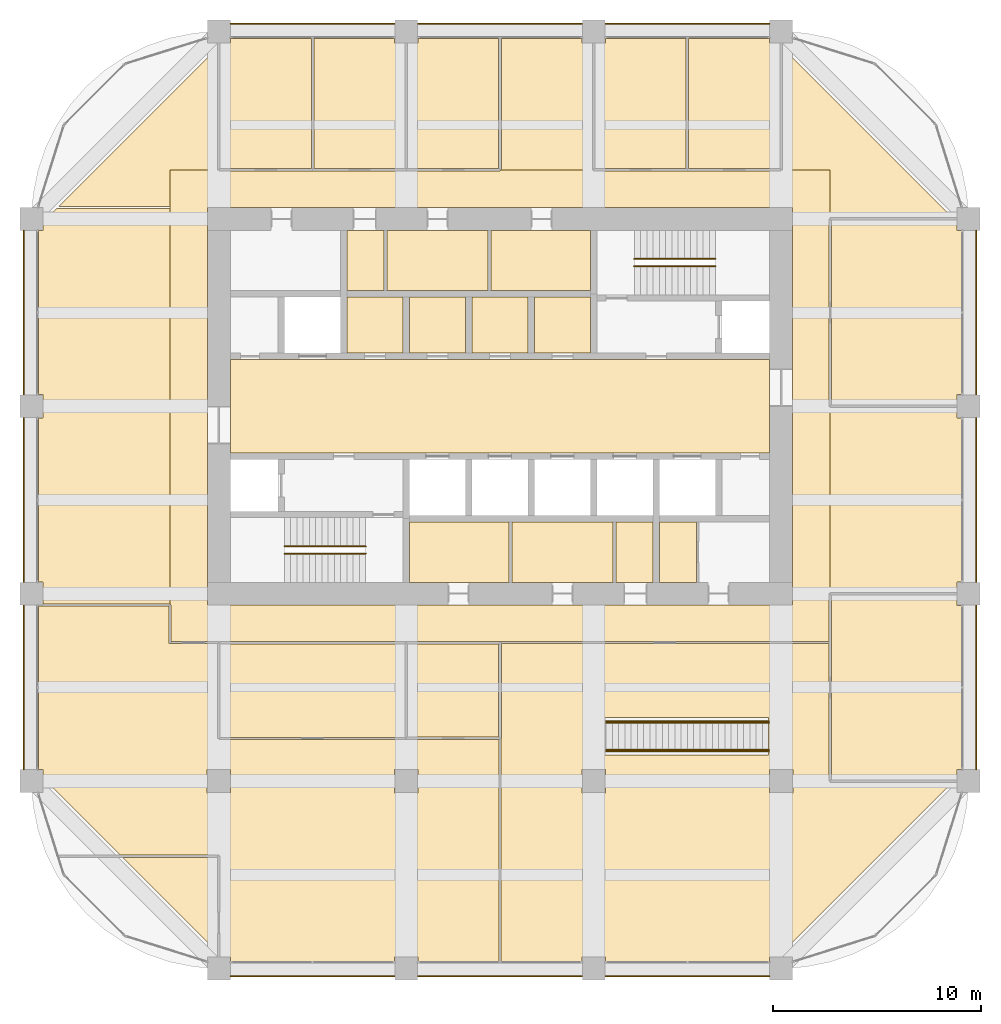
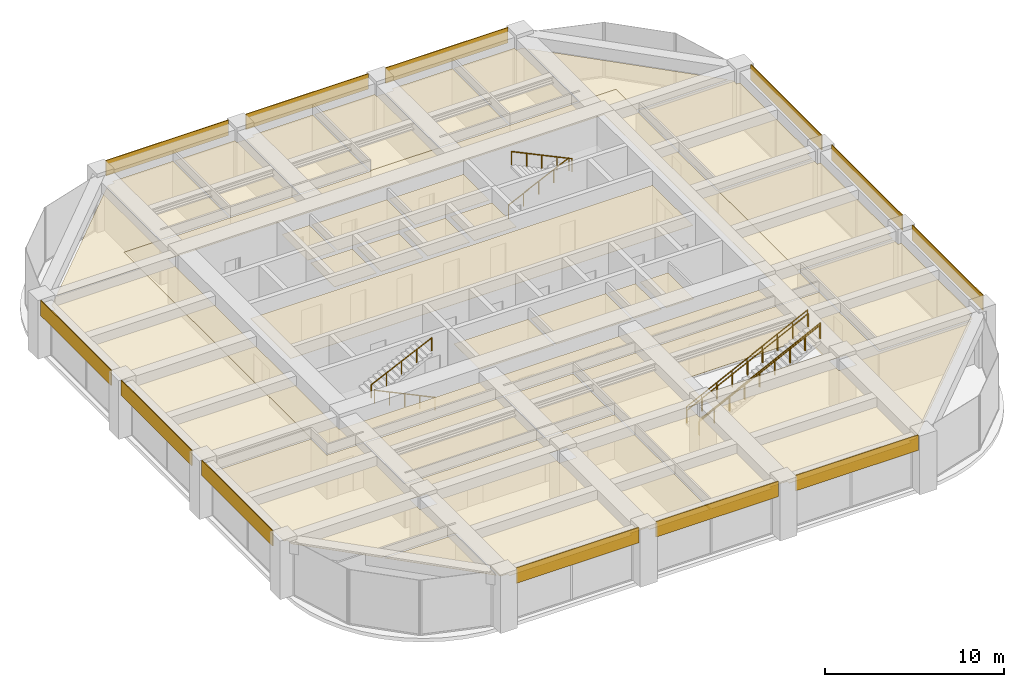
# One storey, part 44 of 44: 42 coverings, 8 railings.
"""IFC4 building model written with IfcOpenShell, lengths in metres."""

from ifc_helpers import new_model, si_unit, direction, frame, frame_2d, origin, origin_2d, place, context, subcontext, project, spatial, polyline, rectangle, circle, outline, extrude, material, layer, layer_set, type_object, element, save


model = new_model("IFC4")

# Units and contexts
model_context = context("Model", 3, precision=1e-05, world=origin(), true_north=direction((0.0, 1.0)))
body_context = subcontext(model_context, "Body", "Model", "MODEL_VIEW")
ifc_project = project(units=[si_unit("LENGTHUNIT", "METRE"), si_unit("AREAUNIT", "SQUARE_METRE"), si_unit("VOLUMEUNIT", "CUBIC_METRE"), si_unit("PLANEANGLEUNIT", "RADIAN"), si_unit("MASSUNIT", "GRAM", prefix="KILO")], contexts=[model_context])

# Site, building, storey
site_placement = place(None, origin())
site = spatial("IfcSite", under=ifc_project, at=site_placement, CompositionType="ELEMENT")
building_placement = place(site_placement, origin())
building = spatial("IfcBuilding", under=site, at=building_placement, Name="Zorevar Civic Tower", CompositionType="ELEMENT")
storey_placement = place(building_placement, frame((0.0, 0.0, 251.39990234375)))
storey = spatial("IfcBuildingStorey", under=building, at=storey_placement, Name="L61", CompositionType="ELEMENT", Elevation=251.39990234375)

# Railings
ifc_material_1 = material(Name="Laminated glass balustrade with black steel handrail", Category="steel")
railing_type_1 = type_object("IfcRailingType", Name="Balustrade BL1 1100", PredefinedType="BALUSTRADE", material=ifc_material_1)
for number, where, name in (
    (1, (36.60009765625, 10.429931640625, 0.148193359375), "Balustrade BL1 interconnecting stair L61"),
    (2, (36.60009765625, 11.8701171875, 0.148193359375), "Balustrade BL1 interconnecting stair L61"),
):
    element("IfcRailing", number, at=place(storey_placement, frame(where)), inside=storey, type_object=railing_type_1, Name=name, PredefinedType="BALUSTRADE", context=body_context, shape_type="SweptSolid", body=[
        extrude(circle(Radius=0.02392578125, at=origin_2d()), frame((0.0, 0.0, 1.076171875), z_axis=(0.896627794226, 0.0, 0.442785047875), x_axis=(0.0, 1.0, 0.0)), (0.0, 0.0, 1.0), 8.698974609375),
        extrude(circle(Radius=0.02099609375, at=origin_2d()), origin(), (0.0, 0.0, 1.0), 1.052001953125),
        extrude(circle(Radius=0.02099609375, at=origin_2d()), frame((0.97509765625, 0.0, 0.4814453125)), (0.0, 0.0, 1.0), 1.052001953125),
        extrude(circle(Radius=0.02099609375, at=origin_2d()), frame((1.949951171875, 0.0, 0.962890625)), (0.0, 0.0, 1.0), 1.052001953125),
        extrude(circle(Radius=0.02099609375, at=origin_2d()), frame((2.9248046875, 0.0, 1.4443359375)), (0.0, 0.0, 1.0), 1.052001953125),
        extrude(circle(Radius=0.02099609375, at=origin_2d()), frame((3.89990234375, 0.0, 1.92578125)), (0.0, 0.0, 1.0), 1.052001953125),
        extrude(circle(Radius=0.02099609375, at=origin_2d()), frame((4.875, 0.0, 2.407470703125)), (0.0, 0.0, 1.0), 1.052001953125),
        extrude(circle(Radius=0.02099609375, at=origin_2d()), frame((5.849853515625, 0.0, 2.888916015625)), (0.0, 0.0, 1.0), 1.052001953125),
        extrude(circle(Radius=0.02099609375, at=origin_2d()), frame((6.82470703125, 0.0, 3.370361328125)), (0.0, 0.0, 1.0), 1.052001953125),
        extrude(circle(Radius=0.02099609375, at=origin_2d()), frame((7.7998046875, 0.0, 3.851806640625)), (0.0, 0.0, 1.0), 1.052001953125),
    ])
ifc_material_2 = material(Name="Black steel handrail", Category="steel")
railing_type_2 = type_object("IfcRailingType", Name="Handrail HR1 900", PredefinedType="HANDRAIL", material=ifc_material_2)
railing_1_placement = place(storey_placement, frame((25.050048828125, 19.925048828125, 0.14306640625)))
element("IfcRailing", 3, at=railing_1_placement, inside=storey, type_object=railing_type_2, Name="Handrail HR1 ST1 L61", PredefinedType="HANDRAIL", context=body_context, shape_type="SweptSolid", body=[
    extrude(circle(Radius=0.02392578125, at=origin_2d()), frame((0.0, 0.0, 0.8759765625), z_axis=(-0.902885590262, 0.0, 0.429880926418), x_axis=(0.0, -1.0, 0.0)), (0.0, 0.0, 1.0), 4.319580078125),
    extrude(circle(Radius=0.02099609375, at=origin_2d()), origin(), (0.0, 0.0, 1.0), 0.851806640625),
    extrude(circle(Radius=0.02099609375, at=origin_2d()), frame((-0.97509765625, 0.0, 0.46435546875)), (0.0, 0.0, 1.0), 0.851806640625),
    extrude(circle(Radius=0.02099609375, at=origin_2d()), frame((-1.9501953125, 0.0, 0.928466796875)), (0.0, 0.0, 1.0), 0.851806640625),
    extrude(circle(Radius=0.02099609375, at=origin_2d()), frame((-2.925048828125, 0.0, 1.392578125)), (0.0, 0.0, 1.0), 0.851806640625),
    extrude(circle(Radius=0.02099609375, at=origin_2d()), frame((-3.900146484375, 0.0, 1.85693359375)), (0.0, 0.0, 1.0), 0.851806640625),
])
for number, where, name in (
    (4, (21.14990234375, 20.27490234375, 2.14306640625), "Handrail HR1 ST1 L61"),
    (5, (37.949951171875, 34.074951171875, 0.14306640625), "Handrail HR1 ST2 L61"),
):
    element("IfcRailing", number, at=place(storey_placement, frame(where)), inside=storey, type_object=railing_type_2, Name=name, PredefinedType="HANDRAIL", context=body_context, shape_type="SweptSolid", body=[
        extrude(circle(Radius=0.02392578125, at=origin_2d()), frame((0.0, 0.0, 0.8759765625), z_axis=(0.902885590262, 0.0, 0.429880926418), x_axis=(0.0, 1.0, 0.0)), (0.0, 0.0, 1.0), 4.319580078125),
        extrude(circle(Radius=0.02099609375, at=origin_2d()), origin(), (0.0, 0.0, 1.0), 0.851806640625),
        extrude(circle(Radius=0.02099609375, at=origin_2d()), frame((0.97509765625, 0.0, 0.46435546875)), (0.0, 0.0, 1.0), 0.851806640625),
        extrude(circle(Radius=0.02099609375, at=origin_2d()), frame((1.9501953125, 0.0, 0.928466796875)), (0.0, 0.0, 1.0), 0.851806640625),
        extrude(circle(Radius=0.02099609375, at=origin_2d()), frame((2.925048828125, 0.0, 1.392578125)), (0.0, 0.0, 1.0), 0.851806640625),
        extrude(circle(Radius=0.02099609375, at=origin_2d()), frame((3.900146484375, 0.0, 1.85693359375)), (0.0, 0.0, 1.0), 0.851806640625),
    ])
railing_2_placement = place(storey_placement, frame((41.85009765625, 33.72509765625, 2.14306640625)))
element("IfcRailing", 6, at=railing_2_placement, inside=storey, type_object=railing_type_2, Name="Handrail HR1 ST2 L61", PredefinedType="HANDRAIL", context=body_context, shape_type="SweptSolid", body=[
    extrude(circle(Radius=0.02392578125, at=origin_2d()), frame((0.0, 0.0, 0.8759765625), z_axis=(-0.902885590262, 0.0, 0.429880926418), x_axis=(0.0, -1.0, 0.0)), (0.0, 0.0, 1.0), 4.319580078125),
    extrude(circle(Radius=0.02099609375, at=origin_2d()), origin(), (0.0, 0.0, 1.0), 0.851806640625),
    extrude(circle(Radius=0.02099609375, at=origin_2d()), frame((-0.97509765625, 0.0, 0.46435546875)), (0.0, 0.0, 1.0), 0.851806640625),
    extrude(circle(Radius=0.02099609375, at=origin_2d()), frame((-1.9501953125, 0.0, 0.928466796875)), (0.0, 0.0, 1.0), 0.851806640625),
    extrude(circle(Radius=0.02099609375, at=origin_2d()), frame((-2.925048828125, 0.0, 1.392578125)), (0.0, 0.0, 1.0), 0.851806640625),
    extrude(circle(Radius=0.02099609375, at=origin_2d()), frame((-3.900146484375, 0.0, 1.85693359375)), (0.0, 0.0, 1.0), 0.851806640625),
])
for number, where, name in (
    (7, (36.60009765625, 10.5, 0.148193359375), "Handrail HR1 interconnecting stair L61"),
    (8, (36.60009765625, 11.800048828125, 0.148193359375), "Handrail HR1 interconnecting stair L61"),
):
    element("IfcRailing", number, at=place(storey_placement, frame(where)), inside=storey, type_object=railing_type_2, Name=name, PredefinedType="HANDRAIL", context=body_context, shape_type="SweptSolid", body=[
        extrude(circle(Radius=0.02392578125, at=origin_2d()), frame((0.0, 0.0, 0.8759765625), z_axis=(0.896627794226, 0.0, 0.442785047875), x_axis=(0.0, 1.0, 0.0)), (0.0, 0.0, 1.0), 8.698974609375),
        extrude(circle(Radius=0.02099609375, at=origin_2d()), origin(), (0.0, 0.0, 1.0), 0.851806640625),
        extrude(circle(Radius=0.02099609375, at=origin_2d()), frame((0.97509765625, 0.0, 0.4814453125)), (0.0, 0.0, 1.0), 0.851806640625),
        extrude(circle(Radius=0.02099609375, at=origin_2d()), frame((1.949951171875, 0.0, 0.962890625)), (0.0, 0.0, 1.0), 0.851806640625),
        extrude(circle(Radius=0.02099609375, at=origin_2d()), frame((2.9248046875, 0.0, 1.4443359375)), (0.0, 0.0, 1.0), 0.851806640625),
        extrude(circle(Radius=0.02099609375, at=origin_2d()), frame((3.89990234375, 0.0, 1.92578125)), (0.0, 0.0, 1.0), 0.851806640625),
        extrude(circle(Radius=0.02099609375, at=origin_2d()), frame((4.875, 0.0, 2.407470703125)), (0.0, 0.0, 1.0), 0.851806640625),
        extrude(circle(Radius=0.02099609375, at=origin_2d()), frame((5.849853515625, 0.0, 2.888916015625)), (0.0, 0.0, 1.0), 0.851806640625),
        extrude(circle(Radius=0.02099609375, at=origin_2d()), frame((6.82470703125, 0.0, 3.370361328125)), (0.0, 0.0, 1.0), 0.851806640625),
        extrude(circle(Radius=0.02099609375, at=origin_2d()), frame((7.7998046875, 0.0, 3.851806640625)), (0.0, 0.0, 1.0), 0.851806640625),
    ])

# Coverings
ifc_material_3 = material(Name="Moisture-resistant gypsum board")
ifc_layer_1 = layer(ifc_material_3, 0.012451171875)
ifc_layer_set_1 = layer_set([ifc_layer_1], Name="Moisture-resistant ceiling SC3")
covering_type_1 = type_object("IfcCoveringType", Name="Moisture-resistant ceiling SC3", PredefinedType="CEILING", material=ifc_layer_set_1)
covering_1_placement = place(storey_placement, frame((0.0, 0.0, 3.0)))
element("IfcCovering", 9, at=covering_1_placement, inside=storey, type_object=covering_type_1, Name="Ceiling L61-05", PredefinedType="CEILING", context=body_context, shape_type="SweptSolid", body=[
    extrude(outline(polyline([(31.925048828125, 18.550048828125), (31.925048828125, 21.449951171875), (27.14990234375, 21.449951171875), (27.14990234375, 18.550048828125), (31.925048828125, 18.550048828125)])), origin(), (0.0, 0.0, 1.0), 0.0126953125),
])
covering_2_placement = place(storey_placement, frame((0.0, 0.0, 3.0)))
element("IfcCovering", 10, at=covering_2_placement, inside=storey, type_object=covering_type_1, Name="Ceiling L61-06", PredefinedType="CEILING", context=body_context, shape_type="SweptSolid", body=[
    extrude(outline(polyline([(36.925048828125, 18.550048828125), (36.925048828125, 21.449951171875), (32.074951171875, 21.449951171875), (32.074951171875, 18.550048828125), (36.925048828125, 18.550048828125)])), origin(), (0.0, 0.0, 1.0), 0.0126953125),
])
covering_3_placement = place(storey_placement, frame((0.0, 0.0, 3.0)))
element("IfcCovering", 11, at=covering_3_placement, inside=storey, type_object=covering_type_1, Name="Ceiling L61-07", PredefinedType="CEILING", context=body_context, shape_type="SweptSolid", body=[
    extrude(outline(polyline([(38.85009765625, 18.550048828125), (38.85009765625, 21.449951171875), (37.074951171875, 21.449951171875), (37.074951171875, 18.550048828125), (38.85009765625, 18.550048828125)])), origin(), (0.0, 0.0, 1.0), 0.0126953125),
])
covering_4_placement = place(storey_placement, frame((0.0, 0.0, 3.0)))
element("IfcCovering", 12, at=covering_4_placement, inside=storey, type_object=covering_type_1, Name="Ceiling L61-08", PredefinedType="CEILING", context=body_context, shape_type="SweptSolid", body=[
    extrude(outline(polyline([(35.85009765625, 32.550048828125), (35.85009765625, 35.449951171875), (31.074951171875, 35.449951171875), (31.074951171875, 32.550048828125), (35.85009765625, 32.550048828125)])), origin(), (0.0, 0.0, 1.0), 0.0126953125),
])
covering_5_placement = place(storey_placement, frame((0.0, 0.0, 3.0)))
element("IfcCovering", 13, at=covering_5_placement, inside=storey, type_object=covering_type_1, Name="Ceiling L61-09", PredefinedType="CEILING", context=body_context, shape_type="SweptSolid", body=[
    extrude(outline(polyline([(30.925048828125, 32.550048828125), (30.925048828125, 35.449951171875), (26.074951171875, 35.449951171875), (26.074951171875, 32.550048828125), (30.925048828125, 32.550048828125)])), origin(), (0.0, 0.0, 1.0), 0.0126953125),
])
covering_6_placement = place(storey_placement, frame((0.0, 0.0, 3.0)))
element("IfcCovering", 14, at=covering_6_placement, inside=storey, type_object=covering_type_1, Name="Ceiling L61-10", PredefinedType="CEILING", context=body_context, shape_type="SweptSolid", body=[
    extrude(outline(polyline([(25.925048828125, 32.550048828125), (25.925048828125, 35.449951171875), (24.14990234375, 35.449951171875), (24.14990234375, 32.550048828125), (25.925048828125, 32.550048828125)])), origin(), (0.0, 0.0, 1.0), 0.0126953125),
])
ifc_material_4 = material(Name="Black anodised aluminium spandrel panel", Category="aluminium")
ifc_layer_2 = layer(ifc_material_4, 0.050048828125)
ifc_layer_set_2 = layer_set([ifc_layer_2], Name="Spandrel cladding SP1")
covering_type_2 = type_object("IfcCoveringType", Name="Spandrel cladding SP1", PredefinedType="CLADDING", material=ifc_layer_set_2)
for number, where, z_axis, x_axis, name in (
    (15, (18.550048828125, -0.375, 2.9501953125), (0.0, 0.0, 1.0), (1.0, 0.0, 0.0), "Spandrel cladding L62"),
    (16, (27.550048828125, -0.375, 2.9501953125), (0.0, 0.0, 1.0), (1.0, 0.0, 0.0), "Spandrel cladding L62"),
    (17, (36.550048828125, -0.375, 2.9501953125), (0.0, 0.0, 1.0), (1.0, 0.0, 0.0), "Spandrel cladding L62"),
    (18, (18.550048828125, 45.375, 2.9501953125), (0.0, 0.0, 1.0), (1.0, 0.0, 0.0), "Spandrel cladding L62"),
    (19, (27.550048828125, 45.375, 2.9501953125), (0.0, 0.0, 1.0), (1.0, 0.0, 0.0), "Spandrel cladding L62"),
    (20, (36.550048828125, 45.375, 2.9501953125), (0.0, 0.0, 1.0), (1.0, 0.0, 0.0), "Spandrel cladding L62"),
    (21, (8.625, 9.550048828125, 2.9501953125), (0.0, 0.0, 1.0), (0.0, 1.0, 0.0), "Spandrel cladding L62"),
    (22, (8.625, 18.550048828125, 2.9501953125), (0.0, 0.0, 1.0), (0.0, 1.0, 0.0), "Spandrel cladding L62"),
    (23, (8.625, 27.550048828125, 2.9501953125), (0.0, 0.0, 1.0), (0.0, 1.0, 0.0), "Spandrel cladding L62"),
    (24, (54.375, 9.550048828125, 2.9501953125), (0.0, 0.0, 1.0), (0.0, 1.0, 0.0), "Spandrel cladding L62"),
    (25, (54.375, 18.550048828125, 2.9501953125), (0.0, 0.0, 1.0), (0.0, 1.0, 0.0), "Spandrel cladding L62"),
    (26, (54.375, 27.550048828125, 2.9501953125), (0.0, 0.0, 1.0), (0.0, 1.0, 0.0), "Spandrel cladding L62"),
):
    element("IfcCovering", number, at=place(storey_placement, frame(where, z_axis=z_axis, x_axis=x_axis)), inside=storey, type_object=covering_type_2, Name=name, PredefinedType="CLADDING", context=body_context, shape_type="SweptSolid", body=[
        extrude(rectangle(XDim=7.89990234375, YDim=0.050048828125, at=frame_2d((3.949951171875, 0.0))), origin(), (0.0, 0.0, 1.0), 1.0498046875),
    ])
ifc_material_5 = material(Name="Mineral fibre tiles on a concealed grid")
ifc_layer_3 = layer(ifc_material_5, 0.02001953125)
ifc_layer_set_3 = layer_set([ifc_layer_3], Name="Suspended ceiling SC1")
covering_type_3 = type_object("IfcCoveringType", Name="Suspended ceiling SC1", PredefinedType="CEILING", material=ifc_layer_set_3)
covering_7_placement = place(storey_placement, frame((0.0, 0.0, 3.0)))
element("IfcCovering", 27, at=covering_7_placement, inside=storey, type_object=covering_type_3, Name="Ceiling L61-11", PredefinedType="CEILING", context=body_context, shape_type="SweptSolid", body=[
    extrude(outline(polyline([(40.93994140625, 18.550048828125), (40.93994140625, 21.449951171875), (39.14990234375, 21.449951171875), (39.14990234375, 18.550048828125), (40.93994140625, 18.550048828125)])), origin(), (0.0, 0.0, 1.0), 0.02001953125),
])
covering_8_placement = place(storey_placement, frame((0.0, 0.0, 3.0)))
element("IfcCovering", 28, at=covering_8_placement, inside=storey, type_object=covering_type_3, Name="Ceiling L61-16", PredefinedType="CEILING", context=body_context, shape_type="SweptSolid", body=[
    extrude(outline(polyline([(44.449951171875, 24.75), (44.449951171875, 29.25), (18.550048828125, 29.25), (18.550048828125, 24.75), (44.449951171875, 24.75)])), origin(), (0.0, 0.0, 1.0), 0.02001953125),
])
covering_9_placement = place(storey_placement, frame((0.0, 0.0, 3.0)))
element("IfcCovering", 29, at=covering_9_placement, inside=storey, type_object=covering_type_3, Name="Ceiling L61-17", PredefinedType="CEILING", context=body_context, shape_type="SweptSolid", body=[
    extrude(outline(polyline([(35.85009765625, 29.550048828125), (35.85009765625, 32.25), (33.14990234375, 32.25), (33.14990234375, 29.550048828125), (35.85009765625, 29.550048828125)])), origin(), (0.0, 0.0, 1.0), 0.02001953125),
])
covering_10_placement = place(storey_placement, frame((0.0, 0.0, 3.0)))
element("IfcCovering", 30, at=covering_10_placement, inside=storey, type_object=covering_type_3, Name="Ceiling L61-18", PredefinedType="CEILING", context=body_context, shape_type="SweptSolid", body=[
    extrude(outline(polyline([(32.85009765625, 29.550048828125), (32.85009765625, 32.25), (30.14990234375, 32.25), (30.14990234375, 29.550048828125), (32.85009765625, 29.550048828125)])), origin(), (0.0, 0.0, 1.0), 0.02001953125),
])
covering_11_placement = place(storey_placement, frame((0.0, 0.0, 3.0)))
element("IfcCovering", 31, at=covering_11_placement, inside=storey, type_object=covering_type_3, Name="Ceiling L61-19", PredefinedType="CEILING", context=body_context, shape_type="SweptSolid", body=[
    extrude(outline(polyline([(29.85009765625, 29.550048828125), (29.85009765625, 32.25), (27.14990234375, 32.25), (27.14990234375, 29.550048828125), (29.85009765625, 29.550048828125)])), origin(), (0.0, 0.0, 1.0), 0.02001953125),
])
covering_12_placement = place(storey_placement, frame((0.0, 0.0, 3.0)))
element("IfcCovering", 32, at=covering_12_placement, inside=storey, type_object=covering_type_3, Name="Ceiling L61-20", PredefinedType="CEILING", context=body_context, shape_type="SweptSolid", body=[
    extrude(outline(polyline([(26.85009765625, 29.550048828125), (26.85009765625, 32.25), (24.14990234375, 32.25), (24.14990234375, 29.550048828125), (26.85009765625, 29.550048828125)])), origin(), (0.0, 0.0, 1.0), 0.02001953125),
])
covering_13_placement = place(storey_placement, frame((0.0, 0.0, 3.0)))
element("IfcCovering", 33, at=covering_13_placement, inside=storey, type_object=covering_type_3, Name="Ceiling L61-21", PredefinedType="CEILING", context=body_context, shape_type="SweptSolid", body=[
    extrude(outline(polyline([(18.06005859375, 44.352783203125), (18.147216796875, 44.43994140625), (18.56005859375, 44.43994140625), (18.56005859375, 44.64990234375), (22.43994140625, 44.64990234375), (22.43994140625, 38.409912109375), (18.06005859375, 38.409912109375), (18.06005859375, 44.352783203125)])), origin(), (0.0, 0.0, 1.0), 0.02001953125),
])
covering_14_placement = place(storey_placement, frame((0.0, 0.0, 3.0)))
element("IfcCovering", 34, at=covering_14_placement, inside=storey, type_object=covering_type_3, Name="Ceiling L61-22", PredefinedType="CEILING", context=body_context, shape_type="SweptSolid", body=[
    extrude(outline(polyline([(22.56005859375, 38.409912109375), (22.56005859375, 44.64990234375), (26.43994140625, 44.64990234375), (26.43994140625, 44.43994140625), (26.93994140625, 44.43994140625), (26.93994140625, 38.409912109375), (22.56005859375, 38.409912109375)])), origin(), (0.0, 0.0, 1.0), 0.02001953125),
])
covering_15_placement = place(storey_placement, frame((0.0, 0.0, 3.0)))
element("IfcCovering", 35, at=covering_15_placement, inside=storey, type_object=covering_type_3, Name="Ceiling L61-23", PredefinedType="CEILING", context=body_context, shape_type="SweptSolid", body=[
    extrude(outline(polyline([(27.06005859375, 38.409912109375), (27.06005859375, 44.43994140625), (27.56005859375, 44.43994140625), (27.56005859375, 44.64990234375), (31.43994140625, 44.64990234375), (31.43994140625, 38.409912109375), (27.06005859375, 38.409912109375)])), origin(), (0.0, 0.0, 1.0), 0.02001953125),
])
covering_16_placement = place(storey_placement, frame((0.0, 0.0, 3.0)))
element("IfcCovering", 36, at=covering_16_placement, inside=storey, type_object=covering_type_3, Name="Ceiling L61-24", PredefinedType="CEILING", context=body_context, shape_type="SweptSolid", body=[
    extrude(outline(polyline([(36.06005859375, 38.409912109375), (36.06005859375, 44.43994140625), (36.56005859375, 44.43994140625), (36.56005859375, 44.64990234375), (40.43994140625, 44.64990234375), (40.43994140625, 38.409912109375), (36.06005859375, 38.409912109375)])), origin(), (0.0, 0.0, 1.0), 0.02001953125),
])
covering_17_placement = place(storey_placement, frame((0.0, 0.0, 3.0)))
element("IfcCovering", 37, at=covering_17_placement, inside=storey, type_object=covering_type_3, Name="Ceiling L61-25", PredefinedType="CEILING", context=body_context, shape_type="SweptSolid", body=[
    extrude(outline(polyline([(40.56005859375, 44.64990234375), (44.43994140625, 44.64990234375), (44.43994140625, 44.43994140625), (44.852783203125, 44.43994140625), (44.93994140625, 44.352783203125), (44.93994140625, 38.409912109375), (40.56005859375, 38.409912109375), (40.56005859375, 44.64990234375)])), origin(), (0.0, 0.0, 1.0), 0.02001953125),
])
covering_18_placement = place(storey_placement, frame((0.0, 0.0, 3.0)))
element("IfcCovering", 38, at=covering_18_placement, inside=storey, type_object=covering_type_3, Name="Ceiling L61-26", PredefinedType="CEILING", context=body_context, shape_type="SweptSolid", body=[
    extrude(outline(polyline([(26.93994140625, 11.10009765625), (18.06005859375, 11.10009765625), (18.06005859375, 15.590087890625), (26.93994140625, 15.590087890625), (26.93994140625, 11.10009765625)])), origin(), (0.0, 0.0, 1.0), 0.02001953125),
])
covering_19_placement = place(storey_placement, frame((0.0, 0.0, 3.0)))
element("IfcCovering", 39, at=covering_19_placement, inside=storey, type_object=covering_type_3, Name="Ceiling L61-27", PredefinedType="CEILING", context=body_context, shape_type="SweptSolid", body=[
    extrude(outline(polyline([(31.43994140625, 15.590087890625), (31.43994140625, 11.110107421875), (27.06005859375, 11.110107421875), (27.06005859375, 15.590087890625), (31.43994140625, 15.590087890625)])), origin(), (0.0, 0.0, 1.0), 0.02001953125),
])
covering_20_placement = place(storey_placement, frame((0.0, 0.0, 3.0)))
element("IfcCovering", 40, at=covering_20_placement, inside=storey, type_object=covering_type_3, Name="Ceiling L61-28", PredefinedType="CEILING", context=body_context, shape_type="SweptSolid", body=[
    extrude(outline(polyline([(53.43994140625, 9.56005859375), (53.43994140625, 9.147216796875), (53.352783203125, 9.06005859375), (47.409912109375, 9.06005859375), (47.409912109375, 17.93994140625), (53.43994140625, 17.93994140625), (53.43994140625, 17.43994140625), (53.64990234375, 17.43994140625), (53.64990234375, 9.56005859375), (53.43994140625, 9.56005859375)])), origin(), (0.0, 0.0, 1.0), 0.02001953125),
])
covering_21_placement = place(storey_placement, frame((0.0, 0.0, 3.0)))
element("IfcCovering", 41, at=covering_21_placement, inside=storey, type_object=covering_type_3, Name="Ceiling L61-29", PredefinedType="CEILING", context=body_context, shape_type="SweptSolid", body=[
    extrude(outline(polyline([(53.43994140625, 27.56005859375), (53.43994140625, 27.06005859375), (47.409912109375, 27.06005859375), (47.409912109375, 35.93994140625), (53.352783203125, 35.93994140625), (53.43994140625, 35.852783203125), (53.43994140625, 35.43994140625), (53.64990234375, 35.43994140625), (53.64990234375, 27.56005859375), (53.43994140625, 27.56005859375)])), origin(), (0.0, 0.0, 1.0), 0.02001953125),
])
covering_22_placement = place(storey_placement, frame((0.0, 0.0, 3.0)))
element("IfcCovering", 42, at=covering_22_placement, inside=storey, type_object=covering_type_3, Name="Ceiling L61-30", PredefinedType="CEILING", context=body_context, shape_type="SweptSolid", body=[
    extrude(outline(polyline([(17.93994140625, 5.340087890625), (17.93994140625, 0.76708984375), (13.3671875, 5.340087890625), (17.93994140625, 5.340087890625)])), origin(), (0.0, 0.0, 1.0), 0.02001953125),
])
covering_23_placement = place(storey_placement, frame((0.0, 0.0, 3.0)))
element("IfcCovering", 43, at=covering_23_placement, inside=storey, type_object=covering_type_3, Name="Ceiling L61-31", PredefinedType="CEILING", context=body_context, shape_type="SweptSolid", body=[
    extrude(outline(polyline([(15.64990234375, 17.449951171875), (15.64990234375, 38.35009765625), (18.0, 38.35009765625), (18.0, 38.2900390625), (31.5, 38.2900390625), (31.5, 38.35009765625), (36.0, 38.35009765625), (36.0, 38.2900390625), (45.0, 38.2900390625), (45.0, 38.35009765625), (47.35009765625, 38.35009765625), (47.35009765625, 36.0), (47.2900390625, 36.0), (47.2900390625, 27.0), (47.35009765625, 27.0), (47.35009765625, 18.0), (47.2900390625, 18.0), (47.2900390625, 15.699951171875), (31.510009765625, 15.699951171875), (31.510009765625, 15.64990234375), (31.5, 15.64990234375), (31.5, 15.7099609375), (18.0, 15.7099609375), (18.0, 15.64990234375), (17.989990234375, 15.64990234375), (17.989990234375, 15.699951171875), (15.699951171875, 15.699951171875), (15.699951171875, 17.449951171875), (15.64990234375, 17.449951171875)]), holes=[polyline([(45.550048828125, 36.550048828125), (17.449951171875, 36.550048828125), (17.449951171875, 17.449951171875), (45.550048828125, 17.449951171875), (45.550048828125, 36.550048828125)])]), origin(), (0.0, 0.0, 1.0), 0.02001953125),
])
covering_24_placement = place(storey_placement, frame((0.0, 0.0, 3.0)))
element("IfcCovering", 44, at=covering_24_placement, inside=storey, type_object=covering_type_3, Name="Ceiling L61-32", PredefinedType="CEILING", context=body_context, shape_type="SweptSolid", body=[
    extrude(outline(polyline([(53.64990234375, 18.56005859375), (53.43994140625, 18.56005859375), (53.43994140625, 18.06005859375), (47.35009765625, 18.06005859375), (47.35009765625, 26.93994140625), (53.43994140625, 26.93994140625), (53.43994140625, 26.43994140625), (53.64990234375, 26.43994140625), (53.64990234375, 18.56005859375)])), origin(), (0.0, 0.0, 1.0), 0.02001953125),
])
covering_25_placement = place(storey_placement, frame((0.0, 0.0, 3.0)))
element("IfcCovering", 45, at=covering_25_placement, inside=storey, type_object=covering_type_3, Name="Ceiling L61-33", PredefinedType="CEILING", context=body_context, shape_type="SweptSolid", body=[
    extrude(outline(polyline([(47.35107421875, 36.06005859375), (47.35009765625, 36.0), (47.3505859375, 38.3505859375), (45.06103515625, 38.35107421875), (45.06103515625, 44.23193359375), (53.23291015625, 36.06005859375), (47.35107421875, 36.06005859375)])), origin(), (0.0, 0.0, 1.0), 0.02001953125),
])
covering_26_placement = place(storey_placement, frame((0.0, 0.0, 3.0)))
element("IfcCovering", 46, at=covering_26_placement, inside=storey, type_object=covering_type_3, Name="Ceiling L61-34", PredefinedType="CEILING", context=body_context, shape_type="SweptSolid", body=[
    extrude(outline(polyline([(17.93994140625, 38.35009765625), (15.64990234375, 38.35009765625), (15.64990234375, 36.60009765625), (10.30712890625, 36.60009765625), (17.93994140625, 44.23291015625), (17.93994140625, 38.35009765625)])), origin(), (0.0, 0.0, 1.0), 0.02001953125),
])
covering_27_placement = place(storey_placement, frame((0.0, 0.0, 3.0)))
element("IfcCovering", 47, at=covering_27_placement, inside=storey, type_object=covering_type_3, Name="Ceiling L61-35", PredefinedType="CEILING", context=body_context, shape_type="SweptSolid", body=[
    extrude(outline(polyline([(31.56005859375, 44.64990234375), (35.43994140625, 44.64990234375), (35.43994140625, 44.43994140625), (35.93994140625, 44.43994140625), (35.93994140625, 38.35009765625), (31.56005859375, 38.35009765625), (31.56005859375, 44.64990234375)])), origin(), (0.0, 0.0, 1.0), 0.02001953125),
])
covering_28_placement = place(storey_placement, frame((0.0, 0.0, 3.0)))
element("IfcCovering", 48, at=covering_28_placement, inside=storey, type_object=covering_type_3, Name="Ceiling L61-36", PredefinedType="CEILING", context=body_context, shape_type="SweptSolid", body=[
    extrude(outline(polyline([(9.35009765625, 17.39990234375), (15.60009765625, 17.39990234375), (15.60009765625, 15.60009765625), (17.93994140625, 15.60009765625), (17.93994140625, 11.050048828125), (18.0, 11.050048828125), (18.0, 11.0), (27.0, 11.0), (27.0, 10.989990234375), (31.449951171875, 10.989990234375), (31.449951171875, 0.35009765625), (27.56005859375, 0.35009765625), (27.56005859375, 0.56005859375), (26.43994140625, 0.56005859375), (26.43994140625, 0.35009765625), (18.56005859375, 0.35009765625), (18.56005859375, 0.56005859375), (18.147216796875, 0.56005859375), (18.06005859375, 0.647216796875), (18.06005859375, 5.39990234375), (18.0, 5.39990234375), (18.0, 5.4599609375), (13.2470703125, 5.4599609375), (9.56005859375, 9.147216796875), (9.56005859375, 9.56005859375), (9.35009765625, 9.56005859375), (9.35009765625, 17.39990234375)]), holes=[polyline([(18.56005859375, 8.43994140625), (18.56005859375, 9.56005859375), (17.43994140625, 9.56005859375), (17.43994140625, 8.43994140625), (18.56005859375, 8.43994140625)]), polyline([(26.43994140625, 9.56005859375), (26.43994140625, 8.43994140625), (27.56005859375, 8.43994140625), (27.56005859375, 9.56005859375), (26.43994140625, 9.56005859375)])]), origin(), (0.0, 0.0, 1.0), 0.02001953125),
])
covering_29_placement = place(storey_placement, frame((0.0, 0.0, 3.0)))
element("IfcCovering", 49, at=covering_29_placement, inside=storey, type_object=covering_type_3, Name="Ceiling L61-37", PredefinedType="CEILING", context=body_context, shape_type="SweptSolid", body=[
    extrude(outline(polyline([(44.43994140625, 0.56005859375), (44.43994140625, 0.35009765625), (36.56005859375, 0.35009765625), (36.56005859375, 0.56005859375), (35.43994140625, 0.56005859375), (35.43994140625, 0.35009765625), (31.550048828125, 0.35009765625), (31.550048828125, 11.050048828125), (31.56005859375, 11.050048828125), (31.56005859375, 15.60009765625), (47.2900390625, 15.60009765625), (47.2900390625, 9.0), (47.35009765625, 9.0), (47.35009765625, 8.93994140625), (53.23291015625, 8.93994140625), (44.852783203125, 0.56005859375), (44.43994140625, 0.56005859375)]), holes=[polyline([(35.43994140625, 9.56005859375), (35.43994140625, 8.43994140625), (36.56005859375, 8.43994140625), (36.56005859375, 9.56005859375), (35.43994140625, 9.56005859375)]), polyline([(45.56005859375, 8.43994140625), (45.56005859375, 9.56005859375), (44.43994140625, 9.56005859375), (44.43994140625, 8.43994140625), (45.56005859375, 8.43994140625)]), polyline([(36.5, 12.050048828125), (36.5, 10.25), (44.39990234375, 10.25), (44.39990234375, 12.050048828125), (36.5, 12.050048828125)])]), origin(), (0.0, 0.0, 1.0), 0.02001953125),
])
covering_30_placement = place(storey_placement, frame((0.0, 0.0, 3.0)))
element("IfcCovering", 50, at=covering_30_placement, inside=storey, type_object=covering_type_3, Name="Ceiling L61-38", PredefinedType="CEILING", context=body_context, shape_type="SweptSolid", body=[
    extrude(outline(polyline([(15.64990234375, 17.5), (9.56005859375, 17.5), (9.56005859375, 18.56005859375), (9.35009765625, 18.56005859375), (9.35009765625, 26.43994140625), (9.56005859375, 26.43994140625), (9.56005859375, 27.56005859375), (9.35009765625, 27.56005859375), (9.35009765625, 35.43994140625), (9.56005859375, 35.43994140625), (9.56005859375, 35.852783203125), (10.20703125, 36.5), (15.64990234375, 36.5), (15.64990234375, 17.5)])), origin(), (0.0, 0.0, 1.0), 0.02001953125),
])

save(model, "model.ifc")
